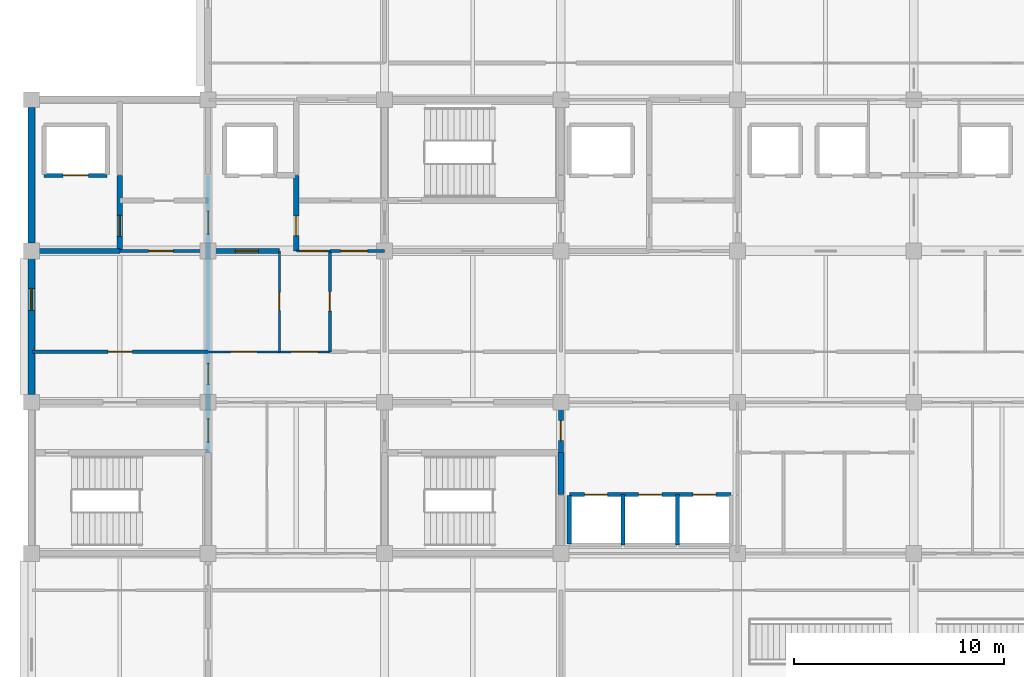
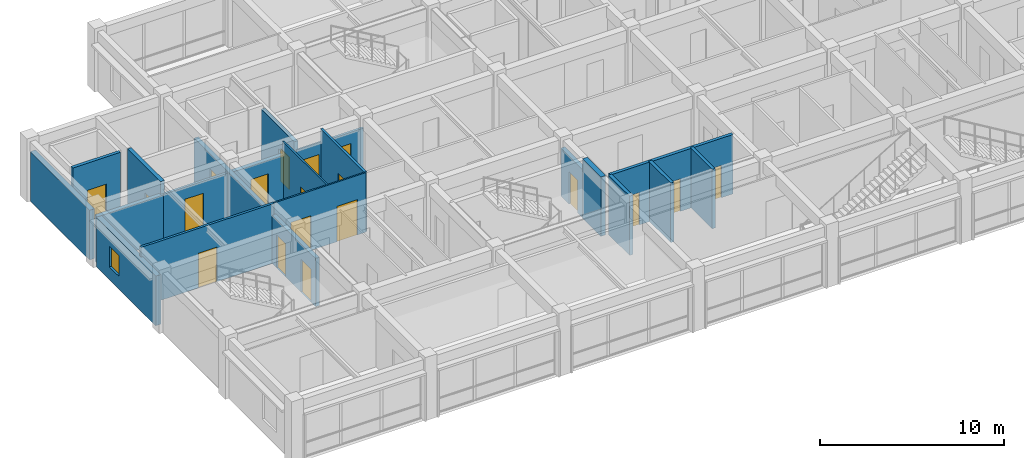
# One storey, part 15 of 27: 21 walls, 19 doors, 1 window, 20 openings.
"""IFC4 building model written with IfcOpenShell, lengths in metres."""

from ifc_helpers import new_model, si_unit, direction, frame, frame_2d, origin, place, context, subcontext, project, spatial, rectangle, extrude, material, layer, layer_set, type_object, element, fill, save


model = new_model("IFC4")

# Units and contexts
model_context = context("Model", 3, precision=1e-05, world=origin(), true_north=direction((0.0, 1.0)))
body_context = subcontext(model_context, "Body", "Model", "MODEL_VIEW")
ifc_project = project(units=[si_unit("LENGTHUNIT", "METRE"), si_unit("AREAUNIT", "SQUARE_METRE"), si_unit("VOLUMEUNIT", "CUBIC_METRE"), si_unit("PLANEANGLEUNIT", "RADIAN"), si_unit("MASSUNIT", "GRAM", prefix="KILO")], contexts=[model_context])

# Site, building, storey
site_placement = place(None, origin())
site = spatial("IfcSite", under=ifc_project, at=site_placement, CompositionType="ELEMENT")
building_placement = place(site_placement, origin())
building = spatial("IfcBuilding", under=site, at=building_placement, Name="Chengyuan Square Courthouse", CompositionType="ELEMENT")
storey_placement = place(building_placement, frame((0.0, 0.0, 39.300048828125)))
storey = spatial("IfcBuildingStorey", under=building, at=storey_placement, Name="L09", CompositionType="ELEMENT", Elevation=39.300048828125)

# Wall, opening, window
ifc_material_1 = material(Name="Concrete C40", Category="concrete")
ifc_layer_1 = layer(ifc_material_1, 0.320068359375)
ifc_layer_set_1 = layer_set([ifc_layer_1], Name="Concrete C40")
wall_type_1 = type_object("IfcWallType", Name="WL-EW3", PredefinedType="STANDARD", material=ifc_layer_set_1)
wall_1_placement = place(storey_placement, frame((42.0, 93.969970703125, 0.0), z_axis=(0.0, 0.0, 1.0), x_axis=(0.0, 1.0, 0.0)))
wall_1 = element("IfcWall", 1, at=wall_1_placement, inside=storey, type_object=wall_type_1, Name="Exterior Wall WL-L09-E414", PredefinedType="STANDARD", context=body_context, shape_type="SweptSolid", body=[
    extrude(rectangle(XDim=6.4599609375, YDim=0.320068359375, at=frame_2d((3.22998046875, 0.0))), origin(), (0.0, 0.0, 1.0), 3.300048828125),
])
opening_1_placement = place(wall_1_placement, frame((4.0048828125, 0.0, 0.85009765625)))
opening_1 = element("IfcOpeningElement", 2, at=opening_1_placement, cuts=wall_1, Name="Opening WN-161", PredefinedType="OPENING", context=body_context, shape_type="SweptSolid", body=[
    extrude(rectangle(XDim=1.050048828125, YDim=1.3798828125, at=frame_2d((0.52490234375, 0.68994140625))), frame((0.0, 0.172119140625, 0.0), z_axis=(0.0, -1.0, 0.0), x_axis=(1.0, 0.0, 0.0)), (0.0, 0.0, 1.0), 0.343994140625),
])
ifc_material_2 = material(Name="Thermally Broken Aluminium Triple Low-E Window", Category="aluminium")
window_type = type_object("IfcWindowType", Name="WT-08", PartitioningType="SINGLE_PANEL", PredefinedType="WINDOW", material=ifc_material_2)
window_placement = place(opening_1_placement, origin())
window = element("IfcWindow", 3, at=window_placement, inside=storey, type_object=window_type, Name="Facade Window WN-161", OverallHeight=1.3798828125, OverallWidth=1.050048828125, PartitioningType="SINGLE_PANEL", PredefinedType="WINDOW", context=body_context, shape_type="SweptSolid", body=[
    extrude(rectangle(XDim=1.050048828125, YDim=1.3798828125, at=frame_2d((0.52490234375, 0.68994140625))), frame((0.0, 0.030029296875, 0.0), z_axis=(0.0, -1.0, 0.0), x_axis=(1.0, 0.0, 0.0)), (0.0, 0.0, 1.0), 0.06005859375),
])
fill(opening_1, window)

# Walls
wall_2_placement = place(storey_placement, frame((42.0, 101.169921875, 0.0), z_axis=(0.0, 0.0, 1.0), x_axis=(0.0, 1.0, 0.0)))
element("IfcWall", 4, at=wall_2_placement, inside=storey, type_object=wall_type_1, Name="Exterior Wall WL-L09-E416", PredefinedType="STANDARD", context=body_context, shape_type="SweptSolid", body=[
    extrude(rectangle(XDim=6.4599609375, YDim=0.320068359375, at=frame_2d((3.22998046875, 0.0))), origin(), (0.0, 0.0, 1.0), 3.300048828125),
])
ifc_layer_2 = layer(ifc_material_1, 0.25)
ifc_layer_set_2 = layer_set([ifc_layer_2], Name="Concrete C40")
wall_type_2 = type_object("IfcWallType", Name="WL-FW1", PredefinedType="STANDARD", material=ifc_layer_set_2)
wall_3_placement = place(storey_placement, frame((42.0400390625, 100.800048828125, 0.0), z_axis=(0.0, 0.0, 1.0), x_axis=(1.0, 0.0, 0.0)))
element("IfcWall", 5, at=wall_3_placement, inside=storey, type_object=wall_type_2, Name="Interior Wall WL-L09-I3126", PredefinedType="STANDARD", context=body_context, shape_type="SweptSolid", body=[
    extrude(rectangle(XDim=4.159912109375, YDim=0.25, at=frame_2d((2.080078125, 0.0))), origin(), (0.0, 0.0, 1.0), 3.099853515625),
])

# Wall, opening, door
wall_4_placement = place(storey_placement, frame((50.39990234375, 100.800048828125, 0.0), z_axis=(0.0, 0.0, 1.0), x_axis=(1.0, 0.0, 0.0)))
wall_4 = element("IfcWall", 6, at=wall_4_placement, inside=storey, type_object=wall_type_2, Name="Interior Wall WL-L09-I3128", PredefinedType="STANDARD", context=body_context, shape_type="SweptSolid", body=[
    extrude(rectangle(XDim=3.400146484375, YDim=0.25, at=frame_2d((1.7001953125, 0.0))), origin(), (0.0, 0.0, 1.0), 3.099853515625),
])
opening_2_placement = place(wall_4_placement, frame((1.297607421875, 0.0, 0.0)))
opening_2 = element("IfcOpeningElement", 7, at=opening_2_placement, cuts=wall_4, Name="Opening DR-2685", PredefinedType="OPENING", context=body_context, shape_type="SweptSolid", body=[
    extrude(rectangle(XDim=1.10009765625, YDim=2.199951171875, at=frame_2d((0.550048828125, 1.10009765625))), frame((0.0, 0.136962890625, 0.0), z_axis=(0.0, -1.0, 0.0), x_axis=(1.0, 0.0, 0.0)), (0.0, 0.0, 1.0), 0.27392578125),
])
ifc_material_3 = material(Name="Steel Q235B Fire Door", Category="steel")
door_type_1 = type_object("IfcDoorType", Name="DT-10", OperationType="NOTDEFINED", PredefinedType="DOOR", material=ifc_material_3)
door_1_placement = place(opening_2_placement, origin())
door_1 = element("IfcDoor", 8, at=door_1_placement, inside=storey, type_object=door_type_1, Name="Interior Door DR-2685", OperationType="SINGLE_SWING_LEFT", OverallHeight=2.199951171875, OverallWidth=1.10009765625, PredefinedType="DOOR", context=body_context, shape_type="SweptSolid", body=[
    extrude(rectangle(XDim=1.10009765625, YDim=2.199951171875, at=frame_2d((0.550048828125, 1.10009765625))), frame((0.0, 0.02490234375, 0.0), z_axis=(0.0, -1.0, 0.0), x_axis=(1.0, 0.0, 0.0)), (0.0, 0.0, 1.0), 0.050048828125),
])
fill(opening_2, door_1)

wall_5_placement = place(storey_placement, frame((46.199951171875, 100.800048828125, 0.0), z_axis=(0.0, 0.0, 1.0), x_axis=(0.0, 1.0, 0.0)))
wall_5 = element("IfcWall", 9, at=wall_5_placement, inside=storey, type_object=wall_type_2, Name="Interior Wall WL-L09-I3191", PredefinedType="STANDARD", context=body_context, shape_type="SweptSolid", body=[
    extrude(rectangle(XDim=3.599853515625, YDim=0.25, at=frame_2d((1.7998046875, 0.0))), origin(), (0.0, 0.0, 1.0), 3.949951171875),
])
opening_3_placement = place(wall_5_placement, frame((0.699951171875, 0.0, 0.0)))
opening_3 = element("IfcOpeningElement", 10, at=opening_3_placement, cuts=wall_5, Name="Opening DR-2665", PredefinedType="OPENING", context=body_context, shape_type="SweptSolid", body=[
    extrude(rectangle(XDim=1.0, YDim=2.199951171875, at=frame_2d((0.5, 1.10009765625))), frame((0.0, 0.136962890625, 0.0), z_axis=(0.0, -1.0, 0.0), x_axis=(1.0, 0.0, 0.0)), (0.0, 0.0, 1.0), 0.27392578125),
])
door_type_2 = type_object("IfcDoorType", Name="DT-11", OperationType="NOTDEFINED", PredefinedType="DOOR", material=ifc_material_3)
door_2_placement = place(opening_3_placement, origin())
door_2 = element("IfcDoor", 11, at=door_2_placement, inside=storey, type_object=door_type_2, Name="Interior Door DR-2665", OperationType="SINGLE_SWING_RIGHT", OverallHeight=2.199951171875, OverallWidth=1.0, PredefinedType="DOOR", context=body_context, shape_type="SweptSolid", body=[
    extrude(rectangle(XDim=1.0, YDim=2.199951171875, at=frame_2d((0.5, 1.10009765625))), frame((0.0, 0.02490234375, 0.0), z_axis=(0.0, -1.0, 0.0), x_axis=(1.0, 0.0, 0.0)), (0.0, 0.0, 1.0), 0.050048828125),
])
fill(opening_3, door_2)

# Wall, openings, doors
wall_6_placement = place(storey_placement, frame((50.39990234375, 91.199951171875, 0.0), z_axis=(0.0, 0.0, 1.0), x_axis=(0.0, 1.0, 0.0)))
wall_6 = element("IfcWall", 12, at=wall_6_placement, inside=storey, type_object=wall_type_2, Name="Interior Wall WL-L09-I3195", PredefinedType="STANDARD", context=body_context, shape_type="SweptSolid", body=[
    extrude(rectangle(XDim=13.199951171875, YDim=0.25, at=frame_2d((6.60009765625, 0.0))), origin(), (0.0, 0.0, 1.0), 3.199951171875),
])
opening_4_placement = place(wall_6_placement, frame((0.50244140625, 0.0, 0.0)))
opening_4 = element("IfcOpeningElement", 13, at=opening_4_placement, cuts=wall_6, Name="Opening DR-2652", PredefinedType="OPENING", context=body_context, shape_type="SweptSolid", body=[
    extrude(rectangle(XDim=1.10009765625, YDim=2.199951171875, at=frame_2d((0.550048828125, 1.10009765625))), frame((0.0, 0.136962890625, 0.0), z_axis=(0.0, -1.0, 0.0), x_axis=(1.0, 0.0, 0.0)), (0.0, 0.0, 1.0), 0.27392578125),
])
opening_5_placement = place(wall_6_placement, frame((10.3974609375, 0.0, 0.0)))
opening_5 = element("IfcOpeningElement", 14, at=opening_5_placement, cuts=wall_6, Name="Opening DR-2667", PredefinedType="OPENING", context=body_context, shape_type="SweptSolid", body=[
    extrude(rectangle(XDim=1.10009765625, YDim=2.199951171875, at=frame_2d((0.550048828125, 1.10009765625))), frame((0.0, 0.136962890625, 0.0), z_axis=(0.0, -1.0, 0.0), x_axis=(1.0, 0.0, 0.0)), (0.0, 0.0, 1.0), 0.27392578125),
])
opening_6_placement = place(wall_6_placement, frame((3.24755859375, 0.0, 0.0)))
opening_6 = element("IfcOpeningElement", 15, at=opening_6_placement, cuts=wall_6, Name="Opening DR-2701", PredefinedType="OPENING", context=body_context, shape_type="SweptSolid", body=[
    extrude(rectangle(XDim=1.0, YDim=2.199951171875, at=frame_2d((0.5, 1.10009765625))), frame((0.0, 0.136962890625, 0.0), z_axis=(0.0, -1.0, 0.0), x_axis=(1.0, 0.0, 0.0)), (0.0, 0.0, 1.0), 0.27392578125),
])
door_3_placement = place(opening_4_placement, origin())
door_3 = element("IfcDoor", 16, at=door_3_placement, inside=storey, type_object=door_type_1, Name="Interior Door DR-2652", OperationType="SINGLE_SWING_RIGHT", OverallHeight=2.199951171875, OverallWidth=1.10009765625, PredefinedType="DOOR", context=body_context, shape_type="SweptSolid", body=[
    extrude(rectangle(XDim=1.10009765625, YDim=2.199951171875, at=frame_2d((0.550048828125, 1.10009765625))), frame((0.0, 0.02490234375, 0.0), z_axis=(0.0, -1.0, 0.0), x_axis=(1.0, 0.0, 0.0)), (0.0, 0.0, 1.0), 0.050048828125),
])
fill(opening_4, door_3)
door_4_placement = place(opening_5_placement, origin())
door_4 = element("IfcDoor", 17, at=door_4_placement, inside=storey, type_object=door_type_1, Name="Interior Door DR-2667", OperationType="SINGLE_SWING_RIGHT", OverallHeight=2.199951171875, OverallWidth=1.10009765625, PredefinedType="DOOR", context=body_context, shape_type="SweptSolid", body=[
    extrude(rectangle(XDim=1.10009765625, YDim=2.199951171875, at=frame_2d((0.550048828125, 1.10009765625))), frame((0.0, 0.02490234375, 0.0), z_axis=(0.0, -1.0, 0.0), x_axis=(1.0, 0.0, 0.0)), (0.0, 0.0, 1.0), 0.050048828125),
])
fill(opening_5, door_4)
door_5_placement = place(opening_6_placement, origin())
door_5 = element("IfcDoor", 18, at=door_5_placement, inside=storey, type_object=door_type_2, Name="Interior Door DR-2701", OperationType="SINGLE_SWING_RIGHT", OverallHeight=2.199951171875, OverallWidth=1.0, PredefinedType="DOOR", context=body_context, shape_type="SweptSolid", body=[
    extrude(rectangle(XDim=1.0, YDim=2.199951171875, at=frame_2d((0.5, 1.10009765625))), frame((0.0, 0.02490234375, 0.0), z_axis=(0.0, -1.0, 0.0), x_axis=(1.0, 0.0, 0.0)), (0.0, 0.0, 1.0), 0.050048828125),
])
fill(opening_6, door_5)

# Wall, opening, door
wall_7_placement = place(storey_placement, frame((54.60009765625, 100.800048828125, 0.0), z_axis=(0.0, 0.0, 1.0), x_axis=(0.0, 1.0, 0.0)))
wall_7 = element("IfcWall", 19, at=wall_7_placement, inside=storey, type_object=wall_type_2, Name="Interior Wall WL-L09-I3201", PredefinedType="STANDARD", context=body_context, shape_type="SweptSolid", body=[
    extrude(rectangle(XDim=3.599853515625, YDim=0.25, at=frame_2d((1.7998046875, 0.0))), origin(), (0.0, 0.0, 1.0), 3.64990234375),
])
opening_7_placement = place(wall_7_placement, frame((0.72509765625, 0.0, 0.0)))
opening_7 = element("IfcOpeningElement", 20, at=opening_7_placement, cuts=wall_7, Name="Opening DR-2684", PredefinedType="OPENING", context=body_context, shape_type="SweptSolid", body=[
    extrude(rectangle(XDim=0.949951171875, YDim=2.14990234375, at=frame_2d((0.47509765625, 1.074951171875))), frame((0.0, 0.136962890625, 0.0), z_axis=(0.0, -1.0, 0.0), x_axis=(1.0, 0.0, 0.0)), (0.0, 0.0, 1.0), 0.27392578125),
])
door_type_3 = type_object("IfcDoorType", Name="DT-12", OperationType="NOTDEFINED", PredefinedType="DOOR", material=ifc_material_3)
door_6_placement = place(opening_7_placement, origin())
door_6 = element("IfcDoor", 21, at=door_6_placement, inside=storey, type_object=door_type_3, Name="Interior Door DR-2684", OperationType="SINGLE_SWING_RIGHT", OverallHeight=2.14990234375, OverallWidth=0.949951171875, PredefinedType="DOOR", context=body_context, shape_type="SweptSolid", body=[
    extrude(rectangle(XDim=0.949951171875, YDim=2.14990234375, at=frame_2d((0.47509765625, 1.074951171875))), frame((0.0, 0.02490234375, 0.0), z_axis=(0.0, -1.0, 0.0), x_axis=(1.0, 0.0, 0.0)), (0.0, 0.0, 1.0), 0.050048828125),
])
fill(opening_7, door_6)

wall_8_placement = place(storey_placement, frame((67.199951171875, 91.199951171875, 0.0), z_axis=(0.0, 0.0, 1.0), x_axis=(0.0, 1.0, 0.0)))
wall_8 = element("IfcWall", 22, at=wall_8_placement, inside=storey, type_object=wall_type_2, Name="Interior Wall WL-L09-I3214", PredefinedType="STANDARD", context=body_context, shape_type="SweptSolid", body=[
    extrude(rectangle(XDim=2.400146484375, YDim=0.25, at=frame_2d((1.2001953125, 0.0))), origin(), (0.0, 0.0, 1.0), 3.199951171875),
])
opening_8_placement = place(wall_8_placement, frame((0.577392578125, 0.0, 0.0)))
opening_8 = element("IfcOpeningElement", 23, at=opening_8_placement, cuts=wall_8, Name="Opening DR-2645", PredefinedType="OPENING", context=body_context, shape_type="SweptSolid", body=[
    extrude(rectangle(XDim=0.949951171875, YDim=2.14990234375, at=frame_2d((0.47509765625, 1.074951171875))), frame((0.0, 0.136962890625, 0.0), z_axis=(0.0, -1.0, 0.0), x_axis=(1.0, 0.0, 0.0)), (0.0, 0.0, 1.0), 0.27392578125),
])
door_7_placement = place(opening_8_placement, origin())
door_7 = element("IfcDoor", 24, at=door_7_placement, inside=storey, type_object=door_type_3, Name="Interior Door DR-2645", OperationType="SINGLE_SWING_RIGHT", OverallHeight=2.14990234375, OverallWidth=0.949951171875, PredefinedType="DOOR", context=body_context, shape_type="SweptSolid", body=[
    extrude(rectangle(XDim=0.949951171875, YDim=2.14990234375, at=frame_2d((0.47509765625, 1.074951171875))), frame((0.0, 0.02490234375, 0.0), z_axis=(0.0, -1.0, 0.0), x_axis=(1.0, 0.0, 0.0)), (0.0, 0.0, 1.0), 0.050048828125),
])
fill(opening_8, door_7)

ifc_material_4 = material(Name="Deliberation Room Sound-Insulated Partition")
ifc_layer_3 = layer(ifc_material_4, 0.14990234375)
ifc_layer_set_3 = layer_set([ifc_layer_3], Name="Deliberation Room Sound-Insulated Partition")
wall_type_3 = type_object("IfcWallType", Name="WL-PT3", PredefinedType="STANDARD", material=ifc_layer_set_3)
wall_9_placement = place(storey_placement, frame((42.0400390625, 96.0, 0.0), z_axis=(0.0, 0.0, 1.0), x_axis=(1.0, 0.0, 0.0)))
wall_9 = element("IfcWall", 25, at=wall_9_placement, inside=storey, type_object=wall_type_3, Name="Interior Wall WL-L09-I3119", PredefinedType="STANDARD", context=body_context, shape_type="SweptSolid", body=[
    extrude(rectangle(XDim=8.35986328125, YDim=0.14990234375, at=frame_2d((4.179931640625, 0.0))), origin(), (0.0, 0.0, 1.0), 3.949951171875),
])
opening_9_placement = place(wall_9_placement, frame((3.60009765625, 0.0, 0.0)))
opening_9 = element("IfcOpeningElement", 26, at=opening_9_placement, cuts=wall_9, Name="Opening DR-2702", PredefinedType="OPENING", context=body_context, shape_type="SweptSolid", body=[
    extrude(rectangle(XDim=1.159912109375, YDim=2.300048828125, at=frame_2d((0.580078125, 1.14990234375))), frame((0.0, 0.0869140625, 0.0), z_axis=(0.0, -1.0, 0.0), x_axis=(1.0, 0.0, 0.0)), (0.0, 0.0, 1.0), 0.173828125),
])
ifc_material_5 = material(Name="Acoustic Solid-Core Timber Door", Category="wood")
door_type_4 = type_object("IfcDoorType", Name="DT-35", OperationType="NOTDEFINED", PredefinedType="DOOR", material=ifc_material_5)
door_8_placement = place(opening_9_placement, origin())
door_8 = element("IfcDoor", 27, at=door_8_placement, inside=storey, type_object=door_type_4, Name="Interior Door DR-2702", OperationType="SINGLE_SWING_LEFT", OverallHeight=2.300048828125, OverallWidth=1.159912109375, PredefinedType="DOOR", context=body_context, shape_type="SweptSolid", body=[
    extrude(rectangle(XDim=1.159912109375, YDim=2.300048828125, at=frame_2d((0.580078125, 1.14990234375))), frame((0.0, 0.02490234375, 0.0), z_axis=(0.0, -1.0, 0.0), x_axis=(1.0, 0.0, 0.0)), (0.0, 0.0, 1.0), 0.050048828125),
])
fill(opening_9, door_8)

wall_10_placement = place(storey_placement, frame((46.199951171875, 100.800048828125, 0.0), z_axis=(0.0, 0.0, 1.0), x_axis=(1.0, 0.0, 0.0)))
wall_10 = element("IfcWall", 28, at=wall_10_placement, inside=storey, type_object=wall_type_3, Name="Interior Wall WL-L09-I3127", PredefinedType="STANDARD", context=body_context, shape_type="SweptSolid", body=[
    extrude(rectangle(XDim=4.199951171875, YDim=0.14990234375, at=frame_2d((2.10009765625, 0.0))), origin(), (0.0, 0.0, 1.0), 3.099853515625),
])
opening_10_placement = place(wall_10_placement, frame((1.37255859375, 0.0, 0.0)))
opening_10 = element("IfcOpeningElement", 29, at=opening_10_placement, cuts=wall_10, Name="Opening DR-2668", PredefinedType="OPENING", context=body_context, shape_type="SweptSolid", body=[
    extrude(rectangle(XDim=1.159912109375, YDim=2.300048828125, at=frame_2d((0.580078125, 1.14990234375))), frame((0.0, 0.0869140625, 0.0), z_axis=(0.0, -1.0, 0.0), x_axis=(1.0, 0.0, 0.0)), (0.0, 0.0, 1.0), 0.173828125),
])
door_9_placement = place(opening_10_placement, origin())
door_9 = element("IfcDoor", 30, at=door_9_placement, inside=storey, type_object=door_type_4, Name="Interior Door DR-2668", OperationType="SINGLE_SWING_LEFT", OverallHeight=2.300048828125, OverallWidth=1.159912109375, PredefinedType="DOOR", context=body_context, shape_type="SweptSolid", body=[
    extrude(rectangle(XDim=1.159912109375, YDim=2.300048828125, at=frame_2d((0.580078125, 1.14990234375))), frame((0.0, 0.02490234375, 0.0), z_axis=(0.0, -1.0, 0.0), x_axis=(1.0, 0.0, 0.0)), (0.0, 0.0, 1.0), 0.050048828125),
])
fill(opening_10, door_9)

wall_11_placement = place(storey_placement, frame((56.199951171875, 100.800048828125, 0.0), z_axis=(0.0, 0.0, 1.0), x_axis=(1.0, 0.0, 0.0)))
wall_11 = element("IfcWall", 31, at=wall_11_placement, inside=storey, type_object=wall_type_3, Name="Interior Wall WL-L09-I3130", PredefinedType="STANDARD", context=body_context, shape_type="SweptSolid", body=[
    extrude(rectangle(XDim=2.60009765625, YDim=0.14990234375, at=frame_2d((1.300048828125, 0.0))), origin(), (0.0, 0.0, 1.0), 3.099853515625),
])
opening_11_placement = place(wall_11_placement, frame((0.512451171875, 0.0, 0.0)))
opening_11 = element("IfcOpeningElement", 32, at=opening_11_placement, cuts=wall_11, Name="Opening DR-2688", PredefinedType="OPENING", context=body_context, shape_type="SweptSolid", body=[
    extrude(rectangle(XDim=1.280029296875, YDim=2.35009765625, at=frame_2d((0.64013671875, 1.175048828125))), frame((0.0, 0.0869140625, 0.0), z_axis=(0.0, -1.0, 0.0), x_axis=(1.0, 0.0, 0.0)), (0.0, 0.0, 1.0), 0.173828125),
])
door_type_5 = type_object("IfcDoorType", Name="DT-38", OperationType="NOTDEFINED", PredefinedType="DOOR", material=ifc_material_5)
door_10_placement = place(opening_11_placement, origin())
door_10 = element("IfcDoor", 33, at=door_10_placement, inside=storey, type_object=door_type_5, Name="Interior Door DR-2688", OperationType="SINGLE_SWING_RIGHT", OverallHeight=2.35009765625, OverallWidth=1.280029296875, PredefinedType="DOOR", context=body_context, shape_type="SweptSolid", body=[
    extrude(rectangle(XDim=1.280029296875, YDim=2.35009765625, at=frame_2d((0.64013671875, 1.175048828125))), frame((0.0, 0.02490234375, 0.0), z_axis=(0.0, -1.0, 0.0), x_axis=(1.0, 0.0, 0.0)), (0.0, 0.0, 1.0), 0.050048828125),
])
fill(opening_11, door_10)

wall_12_placement = place(storey_placement, frame((56.199951171875, 96.0, 0.0), z_axis=(0.0, 0.0, 1.0), x_axis=(0.0, 1.0, 0.0)))
wall_12 = element("IfcWall", 34, at=wall_12_placement, inside=storey, type_object=wall_type_3, Name="Interior Wall WL-L09-I3204", PredefinedType="STANDARD", context=body_context, shape_type="SweptSolid", body=[
    extrude(rectangle(XDim=4.800048828125, YDim=0.14990234375, at=frame_2d((2.39990234375, 0.0))), origin(), (0.0, 0.0, 1.0), 3.949951171875),
])
opening_12_placement = place(wall_12_placement, frame((1.93994140625, 0.0, 0.0)))
opening_12 = element("IfcOpeningElement", 35, at=opening_12_placement, cuts=wall_12, Name="Opening DR-2730", PredefinedType="OPENING", context=body_context, shape_type="SweptSolid", body=[
    extrude(rectangle(XDim=0.919921875, YDim=2.14990234375, at=frame_2d((0.4599609375, 1.074951171875))), frame((0.0, 0.0869140625, 0.0), z_axis=(0.0, -1.0, 0.0), x_axis=(1.0, 0.0, 0.0)), (0.0, 0.0, 1.0), 0.173828125),
])
door_type_6 = type_object("IfcDoorType", Name="DT-29", OperationType="NOTDEFINED", PredefinedType="DOOR", material=ifc_material_5)
door_11_placement = place(opening_12_placement, origin())
door_11 = element("IfcDoor", 36, at=door_11_placement, inside=storey, type_object=door_type_6, Name="Interior Door DR-2730", OperationType="SINGLE_SWING_LEFT", OverallHeight=2.14990234375, OverallWidth=0.919921875, PredefinedType="DOOR", context=body_context, shape_type="SweptSolid", body=[
    extrude(rectangle(XDim=0.919921875, YDim=2.14990234375, at=frame_2d((0.4599609375, 1.074951171875))), frame((0.0, 0.02490234375, 0.0), z_axis=(0.0, -1.0, 0.0), x_axis=(1.0, 0.0, 0.0)), (0.0, 0.0, 1.0), 0.050048828125),
])
fill(opening_12, door_11)

# Wall, openings, doors
ifc_material_6 = material(Name="Gypsum Plasterboard Acoustic Stud Partition")
ifc_layer_4 = layer(ifc_material_6, 0.10009765625)
ifc_layer_set_4 = layer_set([ifc_layer_4], Name="Gypsum Plasterboard Acoustic Stud Partition")
wall_type_4 = type_object("IfcWallType", Name="WL-PT6", PredefinedType="STANDARD", material=ifc_layer_set_4)
wall_13_placement = place(storey_placement, frame((50.39990234375, 96.0, 0.0), z_axis=(0.0, 0.0, 1.0), x_axis=(1.0, 0.0, 0.0)))
wall_13 = element("IfcWall", 37, at=wall_13_placement, inside=storey, type_object=wall_type_4, Name="Interior Wall WL-L09-I3120", PredefinedType="STANDARD", context=body_context, shape_type="SweptSolid", body=[
    extrude(rectangle(XDim=5.800048828125, YDim=0.10009765625, at=frame_2d((2.89990234375, 0.0))), origin(), (0.0, 0.0, 1.0), 3.949951171875),
])
opening_13_placement = place(wall_13_placement, frame((1.080078125, 0.0, 0.0)))
opening_13 = element("IfcOpeningElement", 38, at=opening_13_placement, cuts=wall_13, Name="Opening DR-2704", PredefinedType="OPENING", context=body_context, shape_type="SweptSolid", body=[
    extrude(rectangle(XDim=1.239990234375, YDim=2.300048828125, at=frame_2d((0.6201171875, 1.14990234375))), frame((0.0, 0.06201171875, 0.0), z_axis=(0.0, -1.0, 0.0), x_axis=(1.0, 0.0, 0.0)), (0.0, 0.0, 1.0), 0.1240234375),
])
opening_14_placement = place(wall_13_placement, frame((3.9599609375, 0.0, 0.0)))
opening_14 = element("IfcOpeningElement", 39, at=opening_14_placement, cuts=wall_13, Name="Opening DR-2705", PredefinedType="OPENING", context=body_context, shape_type="SweptSolid", body=[
    extrude(rectangle(XDim=1.280029296875, YDim=2.35009765625, at=frame_2d((0.64013671875, 1.175048828125))), frame((0.0, 0.06201171875, 0.0), z_axis=(0.0, -1.0, 0.0), x_axis=(1.0, 0.0, 0.0)), (0.0, 0.0, 1.0), 0.1240234375),
])
door_type_7 = type_object("IfcDoorType", Name="DT-37", OperationType="NOTDEFINED", PredefinedType="DOOR", material=ifc_material_5)
door_12_placement = place(opening_13_placement, origin())
door_12 = element("IfcDoor", 40, at=door_12_placement, inside=storey, type_object=door_type_7, Name="Interior Door DR-2704", OperationType="SINGLE_SWING_LEFT", OverallHeight=2.300048828125, OverallWidth=1.239990234375, PredefinedType="DOOR", context=body_context, shape_type="SweptSolid", body=[
    extrude(rectangle(XDim=1.239990234375, YDim=2.300048828125, at=frame_2d((0.6201171875, 1.14990234375))), frame((0.0, 0.02490234375, 0.0), z_axis=(0.0, -1.0, 0.0), x_axis=(1.0, 0.0, 0.0)), (0.0, 0.0, 1.0), 0.050048828125),
])
fill(opening_13, door_12)
door_13_placement = place(opening_14_placement, origin())
door_13 = element("IfcDoor", 41, at=door_13_placement, inside=storey, type_object=door_type_5, Name="Interior Door DR-2705", OperationType="SINGLE_SWING_RIGHT", OverallHeight=2.35009765625, OverallWidth=1.280029296875, PredefinedType="DOOR", context=body_context, shape_type="SweptSolid", body=[
    extrude(rectangle(XDim=1.280029296875, YDim=2.35009765625, at=frame_2d((0.64013671875, 1.175048828125))), frame((0.0, 0.02490234375, 0.0), z_axis=(0.0, -1.0, 0.0), x_axis=(1.0, 0.0, 0.0)), (0.0, 0.0, 1.0), 0.050048828125),
])
fill(opening_14, door_13)

# Wall, opening, door
wall_14_placement = place(storey_placement, frame((54.60009765625, 100.800048828125, 0.0), z_axis=(0.0, 0.0, 1.0), x_axis=(1.0, 0.0, 0.0)))
wall_14 = element("IfcWall", 42, at=wall_14_placement, inside=storey, type_object=wall_type_4, Name="Interior Wall WL-L09-I3129", PredefinedType="STANDARD", context=body_context, shape_type="SweptSolid", body=[
    extrude(rectangle(XDim=1.599853515625, YDim=0.10009765625, at=frame_2d((0.7998046875, 0.0))), origin(), (0.0, 0.0, 1.0), 3.099853515625),
])
opening_15_placement = place(wall_14_placement, frame((0.179931640625, 0.0, 0.0)))
opening_15 = element("IfcOpeningElement", 43, at=opening_15_placement, cuts=wall_14, Name="Opening DR-2687", PredefinedType="OPENING", context=body_context, shape_type="SweptSolid", body=[
    extrude(rectangle(XDim=1.239990234375, YDim=2.300048828125, at=frame_2d((0.6201171875, 1.14990234375))), frame((0.0, 0.06201171875, 0.0), z_axis=(0.0, -1.0, 0.0), x_axis=(1.0, 0.0, 0.0)), (0.0, 0.0, 1.0), 0.1240234375),
])
door_14_placement = place(opening_15_placement, origin())
door_14 = element("IfcDoor", 44, at=door_14_placement, inside=storey, type_object=door_type_7, Name="Interior Door DR-2687", OperationType="SINGLE_SWING_LEFT", OverallHeight=2.300048828125, OverallWidth=1.239990234375, PredefinedType="DOOR", context=body_context, shape_type="SweptSolid", body=[
    extrude(rectangle(XDim=1.239990234375, YDim=2.300048828125, at=frame_2d((0.6201171875, 1.14990234375))), frame((0.0, 0.02490234375, 0.0), z_axis=(0.0, -1.0, 0.0), x_axis=(1.0, 0.0, 0.0)), (0.0, 0.0, 1.0), 0.050048828125),
])
fill(opening_15, door_14)

wall_15_placement = place(storey_placement, frame((53.800048828125, 96.0, 0.0), z_axis=(0.0, 0.0, 1.0), x_axis=(0.0, 1.0, 0.0)))
wall_15 = element("IfcWall", 45, at=wall_15_placement, inside=storey, type_object=wall_type_4, Name="Interior Wall WL-L09-I3200", PredefinedType="STANDARD", context=body_context, shape_type="SweptSolid", body=[
    extrude(rectangle(XDim=4.800048828125, YDim=0.10009765625, at=frame_2d((2.39990234375, 0.0))), origin(), (0.0, 0.0, 1.0), 3.949951171875),
])
opening_16_placement = place(wall_15_placement, frame((1.969970703125, 0.0, 0.0)))
opening_16 = element("IfcOpeningElement", 46, at=opening_16_placement, cuts=wall_15, Name="Opening DR-2729", PredefinedType="OPENING", context=body_context, shape_type="SweptSolid", body=[
    extrude(rectangle(XDim=0.860107421875, YDim=2.10009765625, at=frame_2d((0.43017578125, 1.050048828125))), frame((0.0, 0.06201171875, 0.0), z_axis=(0.0, -1.0, 0.0), x_axis=(1.0, 0.0, 0.0)), (0.0, 0.0, 1.0), 0.1240234375),
])
door_type_8 = type_object("IfcDoorType", Name="DT-28", OperationType="NOTDEFINED", PredefinedType="DOOR", material=ifc_material_5)
door_15_placement = place(opening_16_placement, origin())
door_15 = element("IfcDoor", 47, at=door_15_placement, inside=storey, type_object=door_type_8, Name="Interior Door DR-2729", OperationType="SINGLE_SWING_RIGHT", OverallHeight=2.10009765625, OverallWidth=0.860107421875, PredefinedType="DOOR", context=body_context, shape_type="SweptSolid", body=[
    extrude(rectangle(XDim=0.860107421875, YDim=2.10009765625, at=frame_2d((0.43017578125, 1.050048828125))), frame((0.0, 0.02490234375, 0.0), z_axis=(0.0, -1.0, 0.0), x_axis=(1.0, 0.0, 0.0)), (0.0, 0.0, 1.0), 0.050048828125),
])
fill(opening_16, door_15)

# Wall, openings, doors
ifc_material_7 = material(Name="Reinforced Masonry Shaft Enclosure", Category="masonry")
ifc_layer_5 = layer(ifc_material_7, 0.199951171875)
ifc_layer_set_5 = layer_set([ifc_layer_5], Name="Reinforced Masonry Shaft Enclosure")
wall_type_5 = type_object("IfcWallType", Name="WL-SH1", PredefinedType="STANDARD", material=ifc_layer_set_5)
wall_16_placement = place(storey_placement, frame((67.60009765625, 89.199951171875, 0.0), z_axis=(0.0, 0.0, 1.0), x_axis=(1.0, 0.0, 0.0)))
wall_16 = element("IfcWall", 48, at=wall_16_placement, inside=storey, type_object=wall_type_5, Name="Interior Wall WL-L09-I3105", PredefinedType="STANDARD", context=body_context, shape_type="SweptSolid", body=[
    extrude(rectangle(XDim=7.699951171875, YDim=0.199951171875, at=frame_2d((3.85009765625, 0.0))), origin(), (0.0, 0.0, 1.0), 3.949951171875),
])
opening_17_placement = place(wall_16_placement, frame((0.72509765625, 0.0, 0.0)))
opening_17 = element("IfcOpeningElement", 49, at=opening_17_placement, cuts=wall_16, Name="Opening LD-157", PredefinedType="OPENING", context=body_context, shape_type="SweptSolid", body=[
    extrude(rectangle(XDim=1.10009765625, YDim=2.14990234375, at=frame_2d((0.550048828125, 1.074951171875))), frame((0.0, 0.112060546875, 0.0), z_axis=(0.0, -1.0, 0.0), x_axis=(1.0, 0.0, 0.0)), (0.0, 0.0, 1.0), 0.223876953125),
])
opening_18_placement = place(wall_16_placement, frame((3.300048828125, 0.0, 0.0)))
opening_18 = element("IfcOpeningElement", 50, at=opening_18_placement, cuts=wall_16, Name="Opening LD-158", PredefinedType="OPENING", context=body_context, shape_type="SweptSolid", body=[
    extrude(rectangle(XDim=1.10009765625, YDim=2.14990234375, at=frame_2d((0.550048828125, 1.074951171875))), frame((0.0, 0.112060546875, 0.0), z_axis=(0.0, -1.0, 0.0), x_axis=(1.0, 0.0, 0.0)), (0.0, 0.0, 1.0), 0.223876953125),
])
opening_19_placement = place(wall_16_placement, frame((5.875, 0.0, 0.0)))
opening_19 = element("IfcOpeningElement", 51, at=opening_19_placement, cuts=wall_16, Name="Opening LD-159", PredefinedType="OPENING", context=body_context, shape_type="SweptSolid", body=[
    extrude(rectangle(XDim=1.10009765625, YDim=2.14990234375, at=frame_2d((0.550048828125, 1.074951171875))), frame((0.0, 0.112060546875, 0.0), z_axis=(0.0, -1.0, 0.0), x_axis=(1.0, 0.0, 0.0)), (0.0, 0.0, 1.0), 0.223876953125),
])
ifc_material_8 = material(Name="Stainless Steel S30408 Lift Landing Door", Category="steel")
door_type_9 = type_object("IfcDoorType", Name="DT-06", OperationType="DOUBLE_DOOR_SLIDING", PredefinedType="DOOR", material=ifc_material_8)
door_16_placement = place(opening_17_placement, origin())
door_16 = element("IfcDoor", 52, at=door_16_placement, inside=storey, type_object=door_type_9, Name="Lift Landing Door LF-P1 L09", OperationType="DOUBLE_DOOR_SLIDING", OverallHeight=2.14990234375, OverallWidth=1.10009765625, PredefinedType="DOOR", context=body_context, shape_type="SweptSolid", body=[
    extrude(rectangle(XDim=1.10009765625, YDim=2.14990234375, at=frame_2d((0.550048828125, 1.074951171875))), frame((0.0, 0.02490234375, 0.0), z_axis=(0.0, -1.0, 0.0), x_axis=(1.0, 0.0, 0.0)), (0.0, 0.0, 1.0), 0.050048828125),
])
fill(opening_17, door_16)
door_17_placement = place(opening_18_placement, origin())
door_17 = element("IfcDoor", 53, at=door_17_placement, inside=storey, type_object=door_type_9, Name="Lift Landing Door LF-P2 L09", OperationType="DOUBLE_DOOR_SLIDING", OverallHeight=2.14990234375, OverallWidth=1.10009765625, PredefinedType="DOOR", context=body_context, shape_type="SweptSolid", body=[
    extrude(rectangle(XDim=1.10009765625, YDim=2.14990234375, at=frame_2d((0.550048828125, 1.074951171875))), frame((0.0, 0.02490234375, 0.0), z_axis=(0.0, -1.0, 0.0), x_axis=(1.0, 0.0, 0.0)), (0.0, 0.0, 1.0), 0.050048828125),
])
fill(opening_18, door_17)
door_18_placement = place(opening_19_placement, origin())
door_18 = element("IfcDoor", 54, at=door_18_placement, inside=storey, type_object=door_type_9, Name="Lift Landing Door LF-P3 L09", OperationType="DOUBLE_DOOR_SLIDING", OverallHeight=2.14990234375, OverallWidth=1.10009765625, PredefinedType="DOOR", context=body_context, shape_type="SweptSolid", body=[
    extrude(rectangle(XDim=1.10009765625, YDim=2.14990234375, at=frame_2d((0.550048828125, 1.074951171875))), frame((0.0, 0.02490234375, 0.0), z_axis=(0.0, -1.0, 0.0), x_axis=(1.0, 0.0, 0.0)), (0.0, 0.0, 1.0), 0.050048828125),
])
fill(opening_19, door_18)

# Wall, opening, door
wall_17_placement = place(storey_placement, frame((42.60009765625, 104.39990234375, 0.0), z_axis=(0.0, 0.0, 1.0), x_axis=(1.0, 0.0, 0.0)))
wall_17 = element("IfcWall", 55, at=wall_17_placement, inside=storey, type_object=wall_type_5, Name="Interior Wall WL-L09-I3148", PredefinedType="STANDARD", context=body_context, shape_type="SweptSolid", body=[
    extrude(rectangle(XDim=3.0, YDim=0.199951171875, at=frame_2d((1.5, 0.0))), origin(), (0.0, 0.0, 1.0), 3.949951171875),
])
opening_20_placement = place(wall_17_placement, frame((0.89990234375, 0.0, 0.0)))
opening_20 = element("IfcOpeningElement", 56, at=opening_20_placement, cuts=wall_17, Name="Opening LD-151", PredefinedType="OPENING", context=body_context, shape_type="SweptSolid", body=[
    extrude(rectangle(XDim=1.199951171875, YDim=2.14990234375, at=frame_2d((0.60009765625, 1.074951171875))), frame((0.0, 0.112060546875, 0.0), z_axis=(0.0, -1.0, 0.0), x_axis=(1.0, 0.0, 0.0)), (0.0, 0.0, 1.0), 0.223876953125),
])
door_type_10 = type_object("IfcDoorType", Name="DT-05", OperationType="DOUBLE_DOOR_SLIDING", PredefinedType="DOOR", material=ifc_material_8)
door_19_placement = place(opening_20_placement, origin())
door_19 = element("IfcDoor", 57, at=door_19_placement, inside=storey, type_object=door_type_10, Name="Lift Landing Door LF-F3 L09", OperationType="DOUBLE_DOOR_SLIDING", OverallHeight=2.14990234375, OverallWidth=1.199951171875, PredefinedType="DOOR", context=body_context, shape_type="SweptSolid", body=[
    extrude(rectangle(XDim=1.199951171875, YDim=2.14990234375, at=frame_2d((0.60009765625, 1.074951171875))), frame((0.0, 0.02490234375, 0.0), z_axis=(0.0, -1.0, 0.0), x_axis=(1.0, 0.0, 0.0)), (0.0, 0.0, 1.0), 0.050048828125),
])
fill(opening_20, door_19)

# Walls
wall_18_placement = place(storey_placement, frame((67.60009765625, 86.85009765625, 0.0), z_axis=(0.0, 0.0, 1.0), x_axis=(0.0, 1.0, 0.0)))
element("IfcWall", 58, at=wall_18_placement, inside=storey, type_object=wall_type_5, Name="Interior Wall WL-L09-I3219", PredefinedType="STANDARD", context=body_context, shape_type="SweptSolid", body=[
    extrude(rectangle(XDim=2.2998046875, YDim=0.199951171875, at=frame_2d((1.14990234375, 0.0))), origin(), (0.0, 0.0, 1.0), 3.949951171875),
])
for number, where, z_axis, x_axis, name in (
    (59, (70.14990234375, 86.800048828125, 0.0), (0.0, 0.0, 1.0), (0.0, 1.0, 0.0), "Interior Wall WL-L09-I3221"),
    (60, (72.75, 86.800048828125, 0.0), (0.0, 0.0, 1.0), (0.0, 1.0, 0.0), "Interior Wall WL-L09-I3225"),
):
    element("IfcWall", number, at=place(storey_placement, frame(where, z_axis=z_axis, x_axis=x_axis)), inside=storey, type_object=wall_type_5, Name=name, PredefinedType="STANDARD", context=body_context, shape_type="SweptSolid", body=[
        extrude(rectangle(XDim=2.39990234375, YDim=0.199951171875, at=frame_2d((1.199951171875, 0.0))), origin(), (0.0, 0.0, 1.0), 3.949951171875),
    ])
ifc_layer_6 = layer(ifc_material_1, 0.300048828125)
ifc_layer_set_6 = layer_set([ifc_layer_6], Name="Concrete C40")
wall_type_6 = type_object("IfcWallType", Name="WL-SW2", PredefinedType="SHEAR", material=ifc_layer_set_6)
wall_19_placement = place(storey_placement, frame((67.199951171875, 89.199951171875, 0.0), z_axis=(0.0, 0.0, 1.0), x_axis=(0.0, 1.0, 0.0)))
element("IfcWall", 61, at=wall_19_placement, inside=storey, type_object=wall_type_6, Name="Interior Wall WL-L09-I3213", PredefinedType="SHEAR", context=body_context, shape_type="SweptSolid", body=[
    extrude(rectangle(XDim=2.0, YDim=0.300048828125, at=frame_2d((1.0, 0.0))), origin(), (0.0, 0.0, 1.0), 3.949951171875),
])

save(model, "model.ifc")
